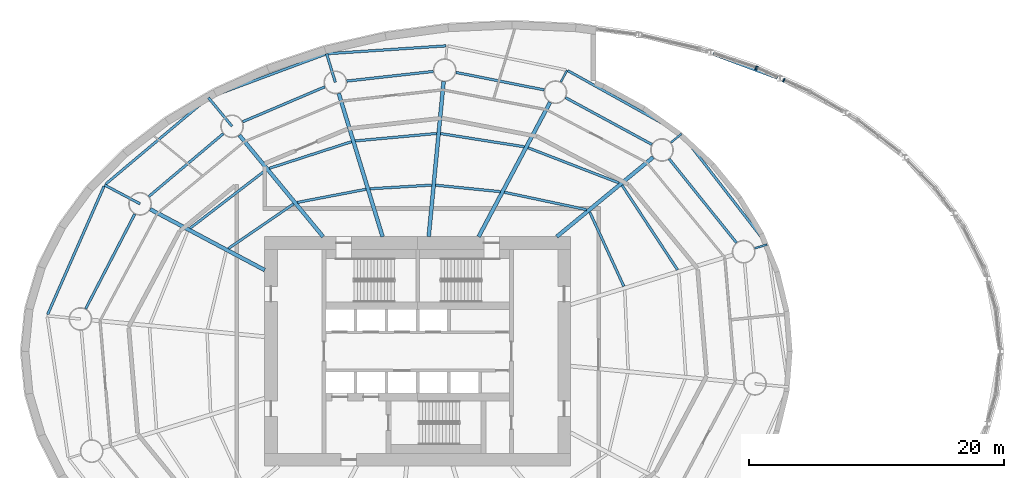
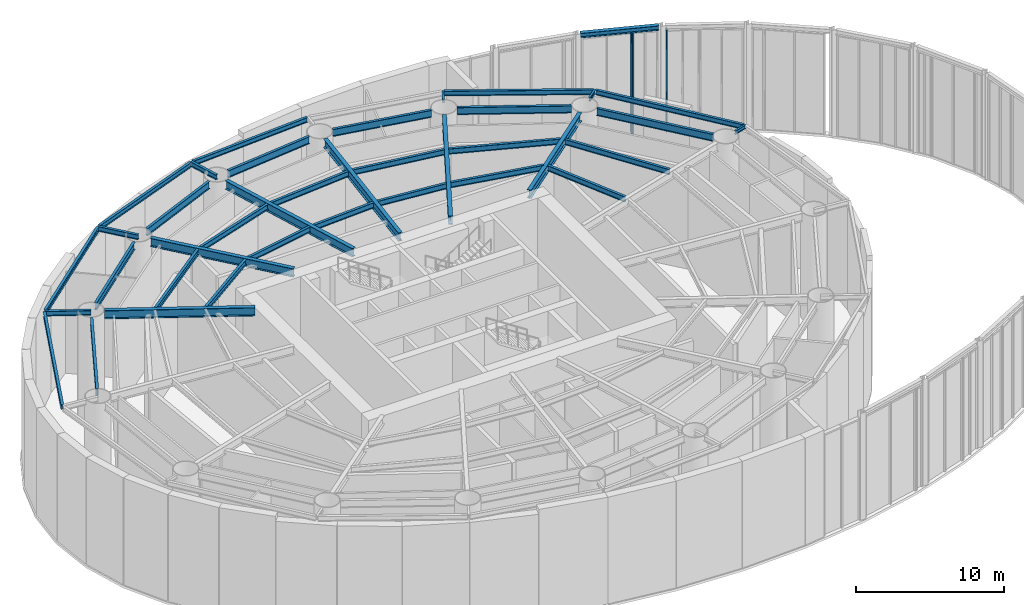
# One storey, part 6 of 19: 38 beams, 3 members, 3 elements without a shape of their own.
"""IFC4 building model written with IfcOpenShell, lengths in metres."""

from ifc_helpers import new_model, si_unit, direction, frame, origin, origin_2d, place, context, subcontext, project, spatial, rectangle, i_section, extrude, material, material_profile, profile_set, type_object, element, aggregate, save


model = new_model("IFC4")

# Units and contexts
model_context = context("Model", 3, precision=1e-05, world=origin(), true_north=direction((0.0, 1.0)))
body_context = subcontext(model_context, "Body", "Model", "MODEL_VIEW")
ifc_project = project(units=[si_unit("LENGTHUNIT", "METRE"), si_unit("AREAUNIT", "SQUARE_METRE"), si_unit("VOLUMEUNIT", "CUBIC_METRE"), si_unit("PLANEANGLEUNIT", "RADIAN"), si_unit("MASSUNIT", "GRAM", prefix="KILO")], contexts=[model_context])

# Site, building, storey
site_placement = place(None, origin())
site = spatial("IfcSite", under=ifc_project, at=site_placement, CompositionType="ELEMENT")
building_placement = place(site_placement, origin())
building = spatial("IfcBuilding", under=site, at=building_placement, Name="Vermilion Reach Broadcast Tower", CompositionType="ELEMENT")
storey_placement = place(building_placement, frame((0.0, 0.0, 8.0)))
storey = spatial("IfcBuildingStorey", under=building, at=storey_placement, Name="L01", CompositionType="ELEMENT", Elevation=8.0)

# Curtain wall, member
ifc_material_1 = material(Name="Low-e laminated clear glass in aluminium frame", Category="aluminium")
curtain_wall_type = type_object("IfcCurtainWallType", Name="Atrium outer wall curtain wall", PredefinedType="NOTDEFINED", material=ifc_material_1)
placement = place(storey_placement, origin())
curtain_wall_1 = element("IfcCurtainWall", 1, at=placement, inside=storey, type_object=curtain_wall_type, Name="Atrium wall L01 19-1", PredefinedType="NOTDEFINED")
ifc_material_2 = material(Name="Anodised aluminium", Category="aluminium")
ifc_material_profile_1 = material_profile(ifc_material_2, rectangle(XDim=0.300048828125, YDim=0.10009765625, at=origin_2d()), Name="Atrium outer wall mullion 100 x 300")
ifc_profile_set_1 = profile_set([ifc_material_profile_1], Name="Anodised aluminium")
member_type = type_object("IfcMemberType", Name="Atrium outer wall mullion 100 x 300", PredefinedType="MULLION", material=ifc_profile_set_1)
member_1_placement = place(storey_placement, frame((22.726806640625, 21.276123046875, 0.0), z_axis=(0.0, 0.0, 1.0), x_axis=(-0.410407876277, -0.911902064418, 0.0)))
member_1 = element("IfcMember", 2, at=member_1_placement, type_object=member_type, Name="Atrium wall mullion L01 19-1.3", PredefinedType="MULLION", context=body_context, shape_type="SweptSolid", body=[
    extrude(rectangle(XDim=0.300048828125, YDim=0.10009765625, at=origin_2d()), origin(), (0.0, 0.0, 1.0), 8.409912109375),
])
aggregate(curtain_wall_1, [member_1])

curtain_wall_2 = element("IfcCurtainWall", 3, at=placement, inside=storey, type_object=curtain_wall_type, Name="Atrium wall L01 19-2", PredefinedType="NOTDEFINED")
member_2_placement = place(storey_placement, frame((20.636962890625, 22.216552734375, 0.0), z_axis=(0.0, 0.0, 1.0), x_axis=(-0.410407876277, -0.911902064418, 0.0)))
member_2 = element("IfcMember", 4, at=member_2_placement, type_object=member_type, Name="Atrium wall mullion L01 19-2.3", PredefinedType="MULLION", context=body_context, shape_type="SweptSolid", body=[
    extrude(rectangle(XDim=0.300048828125, YDim=0.10009765625, at=origin_2d()), origin(), (0.0, 0.0, 1.0), 8.409912109375),
])
aggregate(curtain_wall_2, [member_2])

curtain_wall_3 = element("IfcCurtainWall", 5, at=placement, inside=storey, type_object=curtain_wall_type, Name="Atrium wall L01 20-1", PredefinedType="NOTDEFINED")
member_3_placement = place(storey_placement, frame((20.5439453125, 22.2529296875, 0.0), z_axis=(0.0, 0.0, 1.0), x_axis=(-0.315228098746, -0.949015935462, 0.0)))
member_3 = element("IfcMember", 6, at=member_3_placement, type_object=member_type, Name="Atrium wall mullion L01 20-1.1", PredefinedType="MULLION", context=body_context, shape_type="SweptSolid", body=[
    extrude(rectangle(XDim=0.300048828125, YDim=0.10009765625, at=origin_2d()), origin(), (0.0, 0.0, 1.0), 8.409912109375),
])
aggregate(curtain_wall_3, [member_3])

# Beams
ifc_material_3 = material(Name="Steel S355J2", Category="steel")
ifc_material_profile_2 = material_profile(ifc_material_3, i_section(OverallWidth=0.199951171875, OverallDepth=0.39990234375, WebThickness=0.008056640625, FlangeThickness=0.012939453125, at=origin_2d()), Name="S355J2 HN 400x200x8x13")
ifc_profile_set_2 = profile_set([ifc_material_profile_2], Name="Steel S355J2")
beam_type_1 = type_object("IfcBeamType", Name="EB1 HN 400x200x8x13", PredefinedType="BEAM", material=ifc_profile_set_2)
beam_1_placement = place(storey_placement, frame((21.365234375, 8.449951171875, 8.60009765625), z_axis=(-0.612374307057, 0.790567965488, 0.0), x_axis=(-0.790567965488, -0.612374307057, 0.0)))
element("IfcBeam", 7, at=beam_1_placement, inside=storey, type_object=beam_type_1, Name="Edge beam EB1-01", PredefinedType="BEAM", context=body_context, shape_type="SweptSolid", body=[
    extrude(i_section(OverallWidth=0.199951171875, OverallDepth=0.39990234375, WebThickness=0.008056640625, FlangeThickness=0.012939453125, at=origin_2d()), origin(), (0.0, 0.0, 1.0), 10.821044921875),
])
beam_2_placement = place(storey_placement, frame((14.62255859375, 17.10302734375, 8.60009765625), z_axis=(-0.873686455295, 0.486489442674, 0.0), x_axis=(-0.486489442674, -0.873686455295, 0.0)))
element("IfcBeam", 8, at=beam_2_placement, inside=storey, type_object=beam_type_1, Name="Edge beam EB1-02", PredefinedType="BEAM", context=body_context, shape_type="SweptSolid", body=[
    extrude(i_section(OverallWidth=0.199951171875, OverallDepth=0.39990234375, WebThickness=0.008056640625, FlangeThickness=0.012939453125, at=origin_2d()), origin(), (0.0, 0.0, 1.0), 10.110595703125),
])
beam_3_placement = place(storey_placement, frame((-3.771484375, 23.97119140625, 8.60009765625), z_axis=(-0.997825669163, -0.065908527213, 0.0), x_axis=(0.065908527213, -0.997825669163, 0.0)))
element("IfcBeam", 9, at=beam_3_placement, inside=storey, type_object=beam_type_1, Name="Edge beam EB1-04", PredefinedType="BEAM", context=body_context, shape_type="SweptSolid", body=[
    extrude(i_section(OverallWidth=0.199951171875, OverallDepth=0.39990234375, WebThickness=0.008056640625, FlangeThickness=0.012939453125, at=origin_2d()), origin(), (0.0, 0.0, 1.0), 9.290283203125),
])
beam_4_placement = place(storey_placement, frame((-13.23779296875, 23.3173828125, 8.60009765625), z_axis=(-0.9372716621, -0.348599815582, 0.0), x_axis=(0.348599815582, -0.9372716621, 0.0)))
element("IfcBeam", 10, at=beam_4_placement, inside=storey, type_object=beam_type_1, Name="Edge beam EB1-05", PredefinedType="BEAM", context=body_context, shape_type="SweptSolid", body=[
    extrude(i_section(OverallWidth=0.199951171875, OverallDepth=0.39990234375, WebThickness=0.008056640625, FlangeThickness=0.012939453125, at=origin_2d()), origin(), (0.0, 0.0, 1.0), 9.684326171875),
])
beam_5_placement = place(storey_placement, frame((-22.490478515625, 19.840087890625, 8.60009765625), z_axis=(-0.765453208317, -0.643491558513, 0.0), x_axis=(0.643491558513, -0.765453208317, 0.0)))
element("IfcBeam", 11, at=beam_5_placement, inside=storey, type_object=beam_type_1, Name="Edge beam EB1-06", PredefinedType="BEAM", context=body_context, shape_type="SweptSolid", body=[
    extrude(i_section(OverallWidth=0.199951171875, OverallDepth=0.39990234375, WebThickness=0.008056640625, FlangeThickness=0.012939453125, at=origin_2d()), origin(), (0.0, 0.0, 1.0), 10.437255859375),
])
beam_6_placement = place(storey_placement, frame((-30.6025390625, 12.962646484375, 8.60009765625), z_axis=(-0.402751254677, -0.915309470538, 0.0), x_axis=(0.915309470538, -0.402751254677, 0.0)))
element("IfcBeam", 12, at=beam_6_placement, inside=storey, type_object=beam_type_1, Name="Edge beam EB1-07", PredefinedType="BEAM", context=body_context, shape_type="SweptSolid", body=[
    extrude(i_section(OverallWidth=0.199951171875, OverallDepth=0.39990234375, WebThickness=0.008056640625, FlangeThickness=0.012939453125, at=origin_2d()), origin(), (0.0, 0.0, 1.0), 11.00341796875),
])
ifc_material_4 = material(Name="Steel S355J2", Category="steel")
ifc_material_profile_3 = material_profile(ifc_material_4, i_section(OverallWidth=0.300048828125, OverallDepth=0.699951171875, WebThickness=0.012939453125, FlangeThickness=0.02392578125, at=origin_2d()), Name="S355J2 HN 700x300x13x24")
ifc_profile_set_3 = profile_set([ifc_material_profile_3], Name="Steel S355J2")
beam_type_2 = type_object("IfcBeamType", Name="G1 HN 700x300x13x24", PredefinedType="BEAM", material=ifc_profile_set_3)
beam_7_placement = place(storey_placement, frame((4.9140625, 9.0, 8.449951171875), z_axis=(0.771514256373, 0.636212034005, 0.0), x_axis=(-0.636212034005, 0.771514256373, 0.0)))
element("IfcBeam", 13, at=beam_7_placement, inside=storey, type_object=beam_type_2, Name="Girder G1-02", PredefinedType="BEAM", context=body_context, shape_type="SweptSolid", body=[
    extrude(i_section(OverallWidth=0.300048828125, OverallDepth=0.699951171875, WebThickness=0.012939453125, FlangeThickness=0.02392578125, at=origin_2d()), origin(), (0.0, 0.0, 1.0), 9.796142578125),
])
beam_8_placement = place(storey_placement, frame((-1.216552734375, 9.0, 8.449951171875), z_axis=(0.469312182262, 0.883032318537, 0.0), x_axis=(-0.883032318537, 0.469312182262, 0.0)))
element("IfcBeam", 14, at=beam_8_placement, inside=storey, type_object=beam_type_2, Name="Girder G1-03", PredefinedType="BEAM", context=body_context, shape_type="SweptSolid", body=[
    extrude(i_section(OverallWidth=0.300048828125, OverallDepth=0.699951171875, WebThickness=0.012939453125, FlangeThickness=0.02392578125, at=origin_2d()), origin(), (0.0, 0.0, 1.0), 11.94091796875),
])
beam_9_placement = place(storey_placement, frame((-5.135009765625, 9.0, 8.449951171875), z_axis=(0.09566673912, 0.995413419151, 0.0), x_axis=(-0.995413419151, 0.09566673912, 0.0)))
element("IfcBeam", 15, at=beam_9_placement, inside=storey, type_object=beam_type_2, Name="Girder G1-04", PredefinedType="BEAM", context=body_context, shape_type="SweptSolid", body=[
    extrude(i_section(OverallWidth=0.300048828125, OverallDepth=0.699951171875, WebThickness=0.012939453125, FlangeThickness=0.02392578125, at=origin_2d()), origin(), (0.0, 0.0, 1.0), 12.22412109375),
])
beam_10_placement = place(storey_placement, frame((-8.753173828125, 9.0, 8.449951171875), z_axis=(-0.292542302886, 0.95625258223, 0.0), x_axis=(-0.95625258223, -0.292542302886, 0.0)))
element("IfcBeam", 16, at=beam_10_placement, inside=storey, type_object=beam_type_2, Name="Girder G1-05", PredefinedType="BEAM", context=body_context, shape_type="SweptSolid", body=[
    extrude(i_section(OverallWidth=0.300048828125, OverallDepth=0.699951171875, WebThickness=0.012939453125, FlangeThickness=0.02392578125, at=origin_2d()), origin(), (0.0, 0.0, 1.0), 11.76220703125),
])
beam_11_placement = place(storey_placement, frame((-13.421630859375, 9.0, 8.449951171875), z_axis=(-0.636215165107, 0.77151167437, 0.0), x_axis=(-0.77151167437, -0.636215165107, 0.0)))
element("IfcBeam", 17, at=beam_11_placement, inside=storey, type_object=beam_type_2, Name="Girder G1-06", PredefinedType="BEAM", context=body_context, shape_type="SweptSolid", body=[
    extrude(i_section(OverallWidth=0.300048828125, OverallDepth=0.699951171875, WebThickness=0.012939453125, FlangeThickness=0.02392578125, at=origin_2d()), origin(), (0.0, 0.0, 1.0), 10.3251953125),
])
beam_12_placement = place(storey_placement, frame((-18.0, 6.3779296875, 8.449951171875), z_axis=(-0.883032139419, 0.469312519279, 0.0), x_axis=(-0.469312519279, -0.883032139419, 0.0)))
element("IfcBeam", 18, at=beam_12_placement, inside=storey, type_object=beam_type_2, Name="Girder G1-07", PredefinedType="BEAM", context=body_context, shape_type="SweptSolid", body=[
    extrude(i_section(OverallWidth=0.300048828125, OverallDepth=0.699951171875, WebThickness=0.012939453125, FlangeThickness=0.02392578125, at=origin_2d()), origin(), (0.0, 0.0, 1.0), 10.17529296875),
])
ifc_material_5 = material(Name="Steel S355J2", Category="steel")
ifc_material_profile_4 = material_profile(ifc_material_5, i_section(OverallWidth=0.199951171875, OverallDepth=0.39990234375, WebThickness=0.008056640625, FlangeThickness=0.012939453125, at=origin_2d()), Name="S355J2 HN 400x200x8x13")
ifc_profile_set_4 = profile_set([ifc_material_profile_4], Name="Steel S355J2")
beam_type_3 = type_object("IfcBeamType", Name="GC1 HN 400x200x8x13", PredefinedType="BEAM", material=ifc_profile_set_4)
beam_13_placement = place(storey_placement, frame((-12.45751953125, 21.108154296875, 8.60009765625), z_axis=(-0.292535678809, 0.956254608681, 0.0), x_axis=(-0.956254608681, -0.292535678809, 0.0)))
element("IfcBeam", 19, at=beam_13_placement, inside=storey, type_object=beam_type_3, Name="Cantilever girder GC1-05", PredefinedType="BEAM", context=body_context, shape_type="SweptSolid", body=[
    extrude(i_section(OverallWidth=0.199951171875, OverallDepth=0.39990234375, WebThickness=0.008056640625, FlangeThickness=0.012939453125, at=origin_2d()), origin(), (0.0, 0.0, 1.0), 2.346923828125),
])
beam_14_placement = place(storey_placement, frame((-20.563232421875, 17.660400390625, 8.60009765625), z_axis=(-0.636213137876, 0.771513346089, 0.0), x_axis=(-0.771513346089, -0.636213137876, 0.0)))
element("IfcBeam", 20, at=beam_14_placement, inside=storey, type_object=beam_type_3, Name="Cantilever girder GC1-06", PredefinedType="BEAM", context=body_context, shape_type="SweptSolid", body=[
    extrude(i_section(OverallWidth=0.199951171875, OverallDepth=0.39990234375, WebThickness=0.008056640625, FlangeThickness=0.012939453125, at=origin_2d()), origin(), (0.0, 0.0, 1.0), 2.90869140625),
])
beam_15_placement = place(storey_placement, frame((-27.77978515625, 11.57568359375, 8.60009765625), z_axis=(-0.8830404704, 0.469296843837, 0.0), x_axis=(-0.469296843837, -0.8830404704, 0.0)))
element("IfcBeam", 21, at=beam_15_placement, inside=storey, type_object=beam_type_3, Name="Cantilever girder GC1-07", PredefinedType="BEAM", context=body_context, shape_type="SweptSolid", body=[
    extrude(i_section(OverallWidth=0.199951171875, OverallDepth=0.39990234375, WebThickness=0.008056640625, FlangeThickness=0.012939453125, at=origin_2d()), origin(), (0.0, 0.0, 1.0), 3.151123046875),
])
ifc_material_6 = material(Name="Steel S355J2", Category="steel")
ifc_material_profile_5 = material_profile(ifc_material_6, i_section(OverallWidth=0.14990234375, OverallDepth=0.300048828125, WebThickness=0.006591796875, FlangeThickness=0.009033203125, at=origin_2d()), Name="S355J2 HN 300x150x6.5x9")
ifc_profile_set_5 = profile_set([ifc_material_profile_5], Name="Steel S355J2")
beam_type_4 = type_object("IfcBeamType", Name="GS1 HN 300x150x6.5x9", PredefinedType="BEAM", material=ifc_profile_set_5)
beam_16_placement = place(storey_placement, frame((20.43603515625, 8.08740234375, 8.64990234375), z_axis=(0.956262624381, 0.292509475422, 0.0), x_axis=(-0.292509475422, 0.956262624381, 0.0)))
element("IfcBeam", 22, at=beam_16_placement, inside=storey, type_object=beam_type_4, Name="Cantilever stub GS1-01", PredefinedType="BEAM", context=body_context, shape_type="SweptSolid", body=[
    extrude(i_section(OverallWidth=0.14990234375, OverallDepth=0.300048828125, WebThickness=0.006591796875, FlangeThickness=0.009033203125, at=origin_2d()), origin(), (0.0, 0.0, 1.0), 1.023193359375),
])
beam_17_placement = place(storey_placement, frame((13.860595703125, 16.377685546875, 8.64990234375), z_axis=(0.771531570629, 0.636191036972, 0.0), x_axis=(-0.636191036972, 0.771531570629, 0.0)))
element("IfcBeam", 23, at=beam_17_placement, inside=storey, type_object=beam_type_4, Name="Cantilever stub GS1-02", PredefinedType="BEAM", context=body_context, shape_type="SweptSolid", body=[
    extrude(i_section(OverallWidth=0.14990234375, OverallDepth=0.300048828125, WebThickness=0.006591796875, FlangeThickness=0.009033203125, at=origin_2d()), origin(), (0.0, 0.0, 1.0), 1.07861328125),
])
beam_18_placement = place(storey_placement, frame((5.232177734375, 21.1337890625, 8.64990234375), z_axis=(0.469462125124, 0.882952610888, 0.0), x_axis=(-0.882952610888, 0.469462125124, 0.0)))
element("IfcBeam", 24, at=beam_18_placement, inside=storey, type_object=beam_type_4, Name="Cantilever stub GS1-03", PredefinedType="BEAM", context=body_context, shape_type="SweptSolid", body=[
    extrude(i_section(OverallWidth=0.14990234375, OverallDepth=0.300048828125, WebThickness=0.006591796875, FlangeThickness=0.009033203125, at=origin_2d()), origin(), (0.0, 0.0, 1.0), 1.046875),
])
ifc_material_7 = material(Name="Steel S355J2", Category="steel")
ifc_material_profile_6 = material_profile(ifc_material_7, i_section(OverallWidth=0.199951171875, OverallDepth=0.60009765625, WebThickness=0.010986328125, FlangeThickness=0.01708984375, at=origin_2d()), Name="S355J2 HN 600x200x11x17")
ifc_profile_set_6 = profile_set([ifc_material_profile_6], Name="Steel S355J2")
beam_type_5 = type_object("IfcBeamType", Name="RB1 HN 600x200x11x17", PredefinedType="BEAM", material=ifc_profile_set_6)
beam_19_placement = place(storey_placement, frame((19.011962890625, 8.52587890625, 8.5), z_axis=(-0.626162157191, 0.779692858055, 0.0), x_axis=(-0.779692858055, -0.626162157191, 0.0)))
element("IfcBeam", 25, at=beam_19_placement, inside=storey, type_object=beam_type_5, Name="Ring beam RB1-01", PredefinedType="BEAM", context=body_context, shape_type="SweptSolid", body=[
    extrude(i_section(OverallWidth=0.199951171875, OverallDepth=0.60009765625, WebThickness=0.010986328125, FlangeThickness=0.01708984375, at=origin_2d()), origin(), (0.0, 0.0, 1.0), 8.435791015625),
])
beam_20_placement = place(storey_placement, frame((12.375244140625, 16.234130859375, 8.5), z_axis=(-0.878962319551, 0.476891225344, 0.0), x_axis=(-0.476891225344, -0.878962319551, 0.0)))
element("IfcBeam", 26, at=beam_20_placement, inside=storey, type_object=beam_type_5, Name="Ring beam RB1-02", PredefinedType="BEAM", context=body_context, shape_type="SweptSolid", body=[
    extrude(i_section(OverallWidth=0.199951171875, OverallDepth=0.60009765625, WebThickness=0.010986328125, FlangeThickness=0.01708984375, at=origin_2d()), origin(), (0.0, 0.0, 1.0), 7.707275390625),
])
beam_21_placement = place(storey_placement, frame((3.927001953125, 20.51416015625, 8.5), z_axis=(-0.980857717995, 0.194725799651, 0.0), x_axis=(-0.194725799651, -0.980857717995, 0.0)))
element("IfcBeam", 27, at=beam_21_placement, inside=storey, type_object=beam_type_5, Name="Ring beam RB1-03", PredefinedType="BEAM", context=body_context, shape_type="SweptSolid", body=[
    extrude(i_section(OverallWidth=0.199951171875, OverallDepth=0.60009765625, WebThickness=0.010986328125, FlangeThickness=0.01708984375, at=origin_2d()), origin(), (0.0, 0.0, 1.0), 7.05859375),
])
beam_22_placement = place(storey_placement, frame((-4.77392578125, 21.964111328125, 8.5), z_axis=(-0.993851439324, -0.110721798009, 0.0), x_axis=(0.110721798009, -0.993851439324, 0.0)))
element("IfcBeam", 28, at=beam_22_placement, inside=storey, type_object=beam_type_5, Name="Ring beam RB1-04", PredefinedType="BEAM", context=body_context, shape_type="SweptSolid", body=[
    extrude(i_section(OverallWidth=0.199951171875, OverallDepth=0.60009765625, WebThickness=0.010986328125, FlangeThickness=0.01708984375, at=origin_2d()), origin(), (0.0, 0.0, 1.0), 6.8310546875),
])
beam_23_placement = place(storey_placement, frame((-13.28564453125, 20.755859375, 8.5), z_axis=(-0.920220846584, -0.391399531825, 0.0), x_axis=(0.391399531825, -0.920220846584, 0.0)))
element("IfcBeam", 29, at=beam_23_placement, inside=storey, type_object=beam_type_5, Name="Ring beam RB1-05", PredefinedType="BEAM", context=body_context, shape_type="SweptSolid", body=[
    extrude(i_section(OverallWidth=0.199951171875, OverallDepth=0.60009765625, WebThickness=0.010986328125, FlangeThickness=0.01708984375, at=origin_2d()), origin(), (0.0, 0.0, 1.0), 7.008544921875),
])
beam_24_placement = place(storey_placement, frame((-21.251220703125, 17.080322265625, 8.5), z_axis=(-0.764512441084, -0.6446089725, 0.0), x_axis=(0.6446089725, -0.764512441084, 0.0)))
element("IfcBeam", 30, at=beam_24_placement, inside=storey, type_object=beam_type_5, Name="Ring beam RB1-06", PredefinedType="BEAM", context=body_context, shape_type="SweptSolid", body=[
    extrude(i_section(OverallWidth=0.199951171875, OverallDepth=0.60009765625, WebThickness=0.010986328125, FlangeThickness=0.01708984375, at=origin_2d()), origin(), (0.0, 0.0, 1.0), 7.6396484375),
])
beam_25_placement = place(storey_placement, frame((-28.194091796875, 10.776611328125, 8.5), z_axis=(-0.460411617218, -0.887705549566, 0.0), x_axis=(0.887705549566, -0.460411617218, 0.0)))
element("IfcBeam", 31, at=beam_25_placement, inside=storey, type_object=beam_type_5, Name="Ring beam RB1-07", PredefinedType="BEAM", context=body_context, shape_type="SweptSolid", body=[
    extrude(i_section(OverallWidth=0.199951171875, OverallDepth=0.60009765625, WebThickness=0.010986328125, FlangeThickness=0.01708984375, at=origin_2d()), origin(), (0.0, 0.0, 1.0), 8.37451171875),
])
ifc_material_8 = material(Name="Steel S355J2", Category="steel")
ifc_material_profile_7 = material_profile(ifc_material_8, i_section(OverallWidth=0.300048828125, OverallDepth=0.389892578125, WebThickness=0.010009765625, FlangeThickness=0.01611328125, at=origin_2d()), Name="S355J2 HM 390x300x10x16")
ifc_profile_set_7 = profile_set([ifc_material_profile_7], Name="Steel S355J2")
beam_type_6 = type_object("IfcBeamType", Name="RM1 HM 390x300x10x16", PredefinedType="BEAM", material=ifc_profile_set_7)
beam_26_placement = place(storey_placement, frame((22.22509765625, 21.485595703125, 8.60498046875), z_axis=(-0.937250522131, 0.348656648818, 0.0), x_axis=(-0.348656648818, -0.937250522131, 0.0)))
element("IfcBeam", 32, at=beam_26_placement, inside=storey, type_object=beam_type_6, Name="Rim beam AP13-AP14", PredefinedType="BEAM", context=body_context, shape_type="SweptSolid", body=[
    extrude(i_section(OverallWidth=0.300048828125, OverallDepth=0.389892578125, WebThickness=0.010009765625, FlangeThickness=0.01611328125, at=origin_2d()), origin(), (0.0, 0.0, 1.0), 5.37158203125),
])
ifc_material_9 = material(Name="Steel S355J2", Category="steel")
ifc_material_profile_8 = material_profile(ifc_material_9, i_section(OverallWidth=0.199951171875, OverallDepth=0.449951171875, WebThickness=0.009033203125, FlangeThickness=0.013916015625, at=origin_2d()), Name="S355J2 HN 450x200x9x14")
ifc_profile_set_8 = profile_set([ifc_material_profile_8], Name="Steel S355J2")
beam_type_7 = type_object("IfcBeamType", Name="SB1 HN 450x200x9x14", PredefinedType="BEAM", material=ifc_profile_set_8)
beam_27_placement = place(storey_placement, frame((10.175048828125, 5.105224609375, 8.574951171875), z_axis=(-0.417211452529, 0.908809443106, 0.0), x_axis=(-0.908809443106, -0.417211452529, 0.0)))
element("IfcBeam", 33, at=beam_27_placement, inside=storey, type_object=beam_type_7, Name="Secondary beam SB1-01-1", PredefinedType="BEAM", context=body_context, shape_type="SweptSolid", body=[
    extrude(i_section(OverallWidth=0.199951171875, OverallDepth=0.449951171875, WebThickness=0.009033203125, FlangeThickness=0.013916015625, at=origin_2d()), origin(), (0.0, 0.0, 1.0), 6.41650390625),
])
beam_28_placement = place(storey_placement, frame((14.390625, 6.394775390625, 8.574951171875), z_axis=(-0.548800909102, 0.835953086105, 0.0), x_axis=(-0.835953086105, -0.548800909102, 0.0)))
element("IfcBeam", 34, at=beam_28_placement, inside=storey, type_object=beam_type_7, Name="Secondary beam SB1-01-2", PredefinedType="BEAM", context=body_context, shape_type="SweptSolid", body=[
    extrude(i_section(OverallWidth=0.199951171875, OverallDepth=0.449951171875, WebThickness=0.009033203125, FlangeThickness=0.013916015625, at=origin_2d()), origin(), (0.0, 0.0, 1.0), 7.935791015625),
])
beam_29_placement = place(storey_placement, frame((7.24560546875, 11.1171875, 8.574951171875), z_axis=(-0.978270372412, 0.207333254596, 0.0), x_axis=(-0.207333254596, -0.978270372412, 0.0)))
element("IfcBeam", 35, at=beam_29_placement, inside=storey, type_object=beam_type_7, Name="Secondary beam SB1-02-1", PredefinedType="BEAM", context=body_context, shape_type="SweptSolid", body=[
    extrude(i_section(OverallWidth=0.199951171875, OverallDepth=0.449951171875, WebThickness=0.009033203125, FlangeThickness=0.013916015625, at=origin_2d()), origin(), (0.0, 0.0, 1.0), 6.584716796875),
])
beam_30_placement = place(storey_placement, frame((9.7919921875, 13.217041015625, 8.574951171875), z_axis=(-0.932680743753, 0.360702966765, 0.0), x_axis=(-0.360702966765, -0.932680743753, 0.0)))
element("IfcBeam", 36, at=beam_30_placement, inside=storey, type_object=beam_type_7, Name="Secondary beam SB1-02-2", PredefinedType="BEAM", context=body_context, shape_type="SweptSolid", body=[
    extrude(i_section(OverallWidth=0.199951171875, OverallDepth=0.449951171875, WebThickness=0.009033203125, FlangeThickness=0.013916015625, at=origin_2d()), origin(), (0.0, 0.0, 1.0), 7.646240234375),
])
beam_31_placement = place(storey_placement, frame((0.490234375, 12.531005859375, 8.574951171875), z_axis=(-0.995010199331, 0.099773259079, 0.0), x_axis=(-0.099773259079, -0.995010199331, 0.0)))
element("IfcBeam", 37, at=beam_31_placement, inside=storey, type_object=beam_type_7, Name="Secondary beam SB1-03-1", PredefinedType="BEAM", context=body_context, shape_type="SweptSolid", body=[
    extrude(i_section(OverallWidth=0.199951171875, OverallDepth=0.449951171875, WebThickness=0.009033203125, FlangeThickness=0.013916015625, at=origin_2d()), origin(), (0.0, 0.0, 1.0), 5.111572265625),
])
beam_32_placement = place(storey_placement, frame((2.36279296875, 16.05419921875, 8.574951171875), z_axis=(-0.987829548379, 0.155540294938, 0.0), x_axis=(-0.155540294938, -0.987829548379, 0.0)))
element("IfcBeam", 38, at=beam_32_placement, inside=storey, type_object=beam_type_7, Name="Secondary beam SB1-03-2", PredefinedType="BEAM", context=body_context, shape_type="SweptSolid", body=[
    extrude(i_section(OverallWidth=0.199951171875, OverallDepth=0.449951171875, WebThickness=0.009033203125, FlangeThickness=0.013916015625, at=origin_2d()), origin(), (0.0, 0.0, 1.0), 6.650634765625),
])
beam_33_placement = place(storey_placement, frame((-4.896728515625, 13.046875, 8.574951171875), z_axis=(-0.99823410974, -0.059402543307, 0.0), x_axis=(0.059402543307, -0.99823410974, 0.0)))
element("IfcBeam", 39, at=beam_33_placement, inside=storey, type_object=beam_type_7, Name="Secondary beam SB1-04-1", PredefinedType="BEAM", context=body_context, shape_type="SweptSolid", body=[
    extrude(i_section(OverallWidth=0.199951171875, OverallDepth=0.449951171875, WebThickness=0.009033203125, FlangeThickness=0.013916015625, at=origin_2d()), origin(), (0.0, 0.0, 1.0), 4.85791015625),
])
beam_34_placement = place(storey_placement, frame((-4.50732421875, 17.09814453125, 8.574951171875), z_axis=(-0.995818616382, -0.091352521952, 0.0), x_axis=(0.091352521952, -0.995818616382, 0.0)))
element("IfcBeam", 40, at=beam_34_placement, inside=storey, type_object=beam_type_7, Name="Secondary beam SB1-04-2", PredefinedType="BEAM", context=body_context, shape_type="SweptSolid", body=[
    extrude(i_section(OverallWidth=0.199951171875, OverallDepth=0.449951171875, WebThickness=0.009033203125, FlangeThickness=0.013916015625, at=origin_2d()), origin(), (0.0, 0.0, 1.0), 6.4140625),
])
beam_35_placement = place(storey_placement, frame((-10.04833984375, 12.720703125, 8.574951171875), z_axis=(-0.982151348822, -0.188092339045, 0.0), x_axis=(0.188092339045, -0.982151348822, 0.0)))
element("IfcBeam", 41, at=beam_35_placement, inside=storey, type_object=beam_type_7, Name="Secondary beam SB1-05-1", PredefinedType="BEAM", context=body_context, shape_type="SweptSolid", body=[
    extrude(i_section(OverallWidth=0.199951171875, OverallDepth=0.449951171875, WebThickness=0.009033203125, FlangeThickness=0.013916015625, at=origin_2d()), origin(), (0.0, 0.0, 1.0), 5.4931640625),
])
beam_36_placement = place(storey_placement, frame((-11.18994140625, 16.4521484375, 8.574951171875), z_axis=(-0.951332300844, -0.308166924523, 0.0), x_axis=(0.308166924523, -0.951332300844, 0.0)))
element("IfcBeam", 42, at=beam_36_placement, inside=storey, type_object=beam_type_7, Name="Secondary beam SB1-05-2", PredefinedType="BEAM", context=body_context, shape_type="SweptSolid", body=[
    extrude(i_section(OverallWidth=0.199951171875, OverallDepth=0.449951171875, WebThickness=0.009033203125, FlangeThickness=0.013916015625, at=origin_2d()), origin(), (0.0, 0.0, 1.0), 6.787841796875),
])
beam_37_placement = place(storey_placement, frame((-15.735595703125, 11.5703125, 8.574951171875), z_axis=(-0.825140253447, -0.564927926502, 0.0), x_axis=(0.564927926502, -0.825140253447, 0.0)))
element("IfcBeam", 43, at=beam_37_placement, inside=storey, type_object=beam_type_7, Name="Secondary beam SB1-06-1", PredefinedType="BEAM", context=body_context, shape_type="SweptSolid", body=[
    extrude(i_section(OverallWidth=0.199951171875, OverallDepth=0.449951171875, WebThickness=0.009033203125, FlangeThickness=0.013916015625, at=origin_2d()), origin(), (0.0, 0.0, 1.0), 6.20458984375),
])
beam_38_placement = place(storey_placement, frame((-17.920166015625, 14.21923828125, 8.574951171875), z_axis=(-0.793349617473, -0.60876628065, 0.0), x_axis=(0.60876628065, -0.793349617473, 0.0)))
element("IfcBeam", 44, at=beam_38_placement, inside=storey, type_object=beam_type_7, Name="Secondary beam SB1-06-2", PredefinedType="BEAM", context=body_context, shape_type="SweptSolid", body=[
    extrude(i_section(OverallWidth=0.199951171875, OverallDepth=0.449951171875, WebThickness=0.009033203125, FlangeThickness=0.013916015625, at=origin_2d()), origin(), (0.0, 0.0, 1.0), 7.486328125),
])

save(model, "model.ifc")
